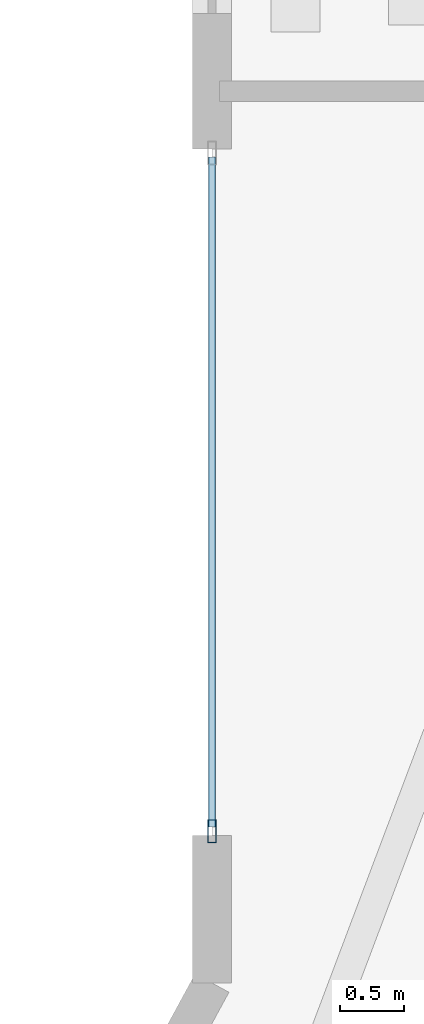
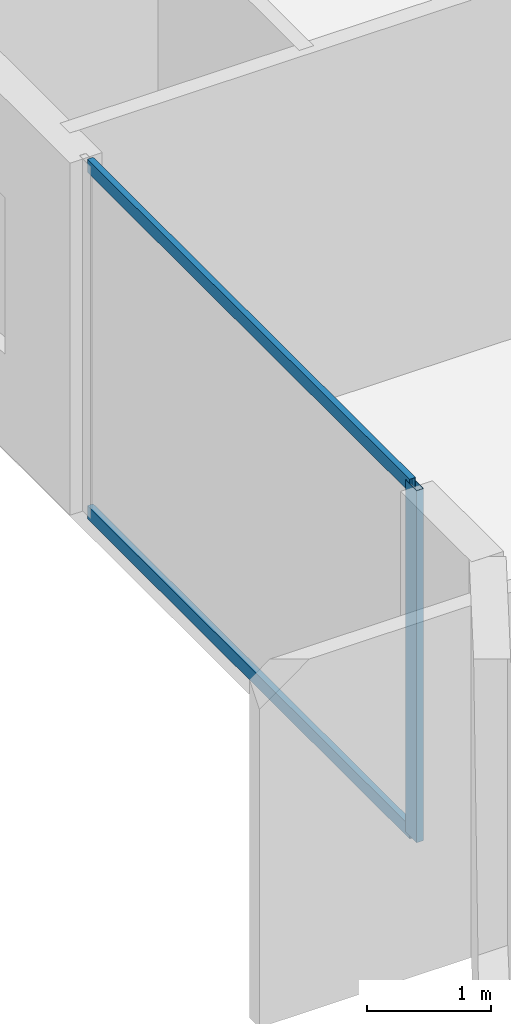
# One storey, part 6 of 25: 3 members, 1 element without a shape of its own.
"""IFC4 building model written with IfcOpenShell, lengths in metres."""

from ifc_helpers import new_model, si_unit, direction, frame, origin, origin_2d, place, context, subcontext, project, spatial, hollow_rectangle, extrude, material, layer, layer_set, material_profile, profile_set, type_object, element, aggregate, save


model = new_model("IFC4")

# Units and contexts
model_context = context("Model", 3, precision=1e-05, world=origin(), true_north=direction((0.0, 1.0)))
body_context = subcontext(model_context, "Body", "Model", "MODEL_VIEW")
ifc_project = project(units=[si_unit("LENGTHUNIT", "METRE"), si_unit("AREAUNIT", "SQUARE_METRE"), si_unit("VOLUMEUNIT", "CUBIC_METRE"), si_unit("PLANEANGLEUNIT", "RADIAN"), si_unit("MASSUNIT", "GRAM", prefix="KILO")], contexts=[model_context])

# Site, building, storey
site_placement = place(None, origin())
site = spatial("IfcSite", under=ifc_project, at=site_placement, CompositionType="ELEMENT")
building_placement = place(site_placement, origin())
building = spatial("IfcBuilding", under=site, at=building_placement, Name="Zuhayl Quay Hotel", CompositionType="ELEMENT")
storey_placement = place(building_placement, frame((0.0, 0.0, 243.35009765625)))
storey = spatial("IfcBuildingStorey", under=building, at=storey_placement, Name="L61", CompositionType="ELEMENT", Elevation=243.35009765625)

# Curtain wall, members
ifc_material_1 = material(Name="Anodised Aluminium 6063-T6", Category="aluminium")
ifc_layer = layer(ifc_material_1, 0.169921875, Name="Anodised Aluminium 6063-T6", Category="aluminium")
ifc_layer_set = layer_set([ifc_layer], Name="Anodised Aluminium 6063-T6")
curtain_wall_type = type_object("IfcCurtainWallType", Name="CW_SYS_Z4", PredefinedType="USERDEFINED", material=ifc_layer_set)
curtain_wall_placement = place(storey_placement, origin())
curtain_wall = element("IfcCurtainWall", 1, at=curtain_wall_placement, inside=storey, type_object=curtain_wall_type, Name="L61 Curtain Wall ENV_L61_E05_CW1", ObjectType="UNITISED CURTAIN WALL", PredefinedType="USERDEFINED")
ifc_material_2 = material(Name="Black-anodised aluminium 6063-T6", Category="aluminium")
ifc_material_profile_1 = material_profile(ifc_material_2, hollow_rectangle(XDim=0.06494140625, YDim=0.179931640625, WallThickness=0.00341796875, at=origin_2d()), Name="ALU180X65")
ifc_profile_set_1 = profile_set([ifc_material_profile_1], Name="Black-anodised aluminium 6063-T6")
member_type_1 = type_object("IfcMemberType", Name="MB_CW_MUL_180", PredefinedType="MULLION", material=ifc_profile_set_1)
member_1_placement = place(storey_placement, frame((-20.199951171875, 25.282470703125, 0.0), z_axis=(0.0, 0.0, 1.0), x_axis=(-1.0, 0.0, 0.0)))
member_1 = element("IfcMember", 2, at=member_1_placement, type_object=member_type_1, Name="CW-Z4 mullion 1", PredefinedType="MULLION", context=body_context, shape_type="SweptSolid", body=[
    extrude(hollow_rectangle(XDim=0.06494140625, YDim=0.179931640625, WallThickness=0.00341796875, at=origin_2d()), origin(), (0.0, 0.0, 1.0), 3.47998046875),
])
ifc_material_profile_2 = material_profile(ifc_material_2, hollow_rectangle(XDim=0.054931640625, YDim=0.1298828125, WallThickness=0.0029296875, at=origin_2d()), Name="ALU130X55")
ifc_profile_set_2 = profile_set([ifc_material_profile_2], Name="Black-anodised aluminium 6063-T6")
member_type_2 = type_object("IfcMemberType", Name="MB_CW_TRN_130", PredefinedType="USERDEFINED", material=ifc_profile_set_2)
member_2_placement = place(storey_placement, frame((-20.199951171875, 25.31494140625, 0.02734375), z_axis=(0.0, 1.0, 0.0), x_axis=(-1.0, 0.0, 0.0)))
member_2 = element("IfcMember", 3, at=member_2_placement, type_object=member_type_2, Name="CW-Z4 transom 1.1", ObjectType="TRANSOM", PredefinedType="USERDEFINED", context=body_context, shape_type="SweptSolid", body=[
    extrude(hollow_rectangle(XDim=0.054931640625, YDim=0.1298828125, WallThickness=0.0029296875, at=origin_2d()), origin(), (0.0, 0.0, 1.0), 5.219970703125),
])
member_3_placement = place(storey_placement, frame((-20.199951171875, 25.31494140625, 3.452392578125), z_axis=(0.0, 1.0, 0.0), x_axis=(-1.0, 0.0, 0.0)))
member_3 = element("IfcMember", 4, at=member_3_placement, type_object=member_type_2, Name="CW-Z4 transom 1.2", ObjectType="TRANSOM", PredefinedType="USERDEFINED", context=body_context, shape_type="SweptSolid", body=[
    extrude(hollow_rectangle(XDim=0.054931640625, YDim=0.1298828125, WallThickness=0.0029296875, at=origin_2d()), origin(), (0.0, 0.0, 1.0), 5.219970703125),
])
aggregate(curtain_wall, [member_1, member_2, member_3])

save(model, "model.ifc")
